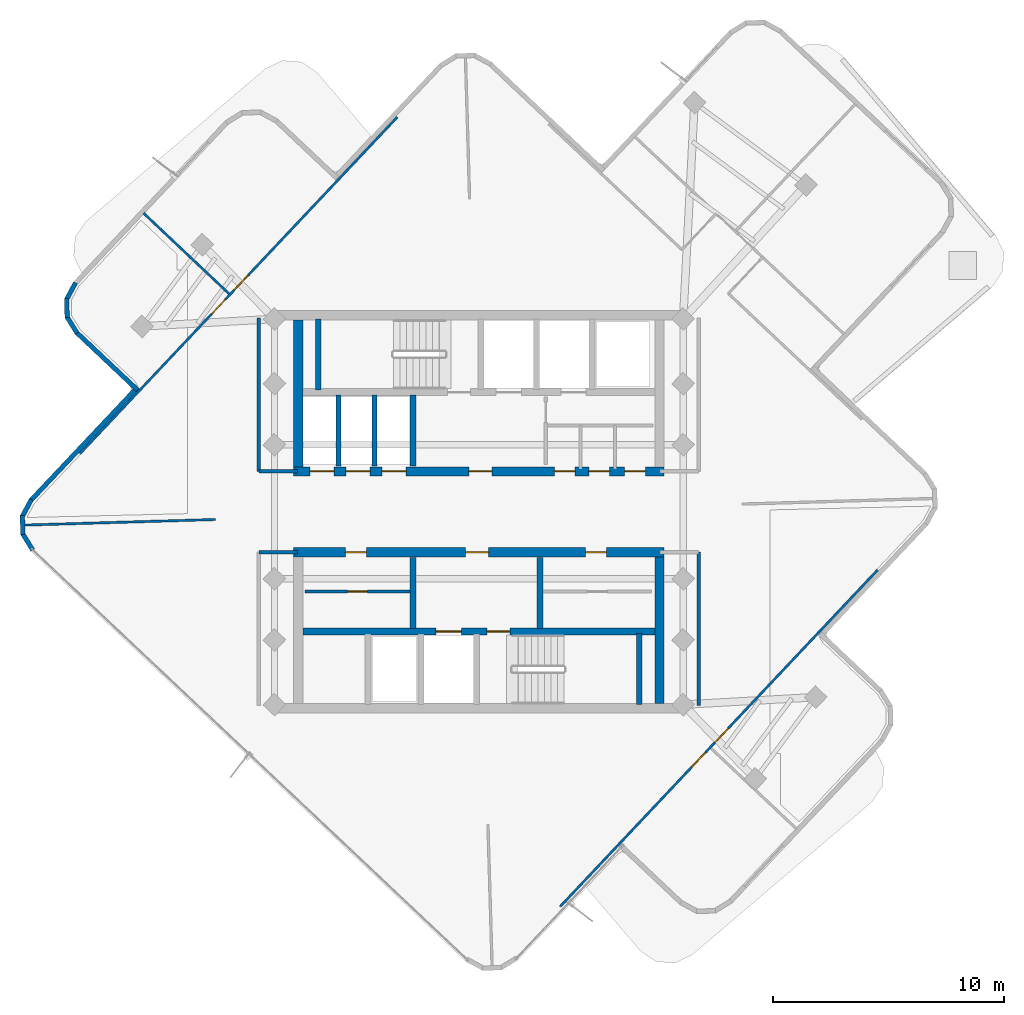
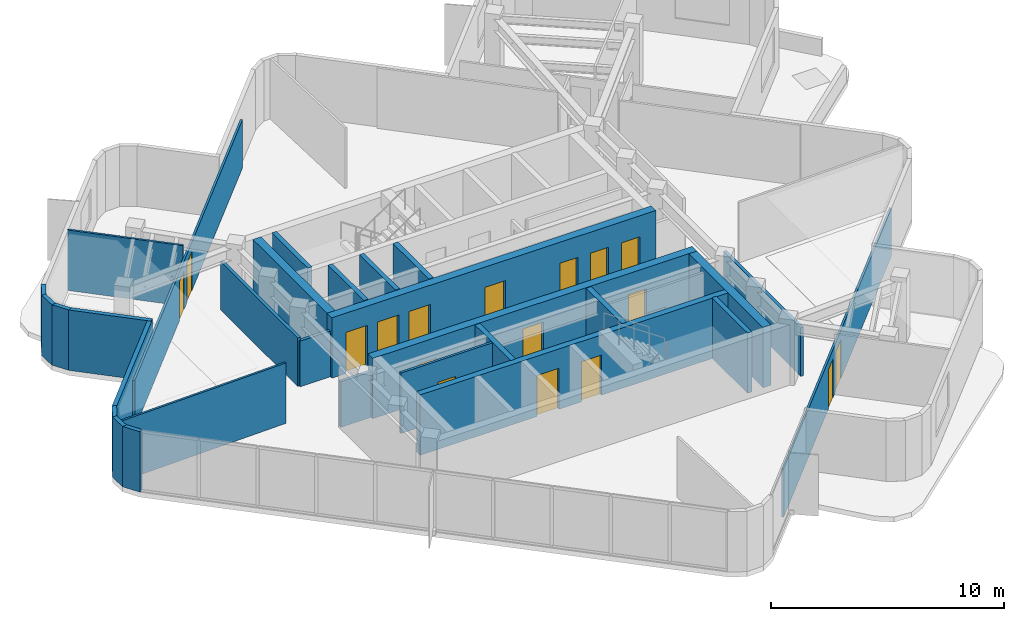
# One storey, part 6 of 10: 29 walls, 17 doors, 17 openings.
"""IFC4 building model written with IfcOpenShell, lengths in metres."""

from ifc_helpers import new_model, si_unit, direction, frame, frame_2d, origin, place, context, subcontext, project, spatial, rectangle, extrude, material, layer, layer_set, type_object, element, fill, save


model = new_model("IFC4")

# Units and contexts
model_context = context("Model", 3, precision=1e-05, world=origin(), true_north=direction((0.0, 1.0)))
body_context = subcontext(model_context, "Body", "Model", "MODEL_VIEW")
ifc_project = project(units=[si_unit("LENGTHUNIT", "METRE"), si_unit("AREAUNIT", "SQUARE_METRE"), si_unit("VOLUMEUNIT", "CUBIC_METRE"), si_unit("PLANEANGLEUNIT", "RADIAN"), si_unit("MASSUNIT", "GRAM", prefix="KILO")], contexts=[model_context])

# Site, building, storey
site_placement = place(None, origin())
site = spatial("IfcSite", under=ifc_project, at=site_placement, CompositionType="ELEMENT")
building_placement = place(site_placement, origin())
building = spatial("IfcBuilding", under=site, at=building_placement, Name="Solmarez Civic Tower", CompositionType="ELEMENT")
storey_placement = place(building_placement, frame((0.0, 0.0, 244.080078125)))
storey = spatial("IfcBuildingStorey", under=building, at=storey_placement, Name="L65", CompositionType="ELEMENT", Elevation=244.080078125)

# Wall, openings, doors
ifc_material_1 = material(Name="Concrete C50/60", Category="concrete")
ifc_layer_1 = layer(ifc_material_1, 0.39990234375)
ifc_layer_set_1 = layer_set([ifc_layer_1], Name="Concrete C50/60")
wall_type_1 = type_object("IfcWallType", Name="WALL-CORE-400", PredefinedType="SHEAR", material=ifc_layer_set_1)
wall_1_placement = place(storey_placement, frame((8.02001953125, 1.75, 0.0), z_axis=(0.0, 0.0, 1.0), x_axis=(-1.0, 0.0, 0.0)))
wall_1 = element("IfcWall", 1, at=wall_1_placement, inside=storey, type_object=wall_type_1, Name="L65 Split-Core Structural Wall NCW-S-L65", PredefinedType="SHEAR", context=body_context, shape_type="SweptSolid", body=[
    extrude(rectangle(XDim=16.0400390625, YDim=0.39990234375, at=frame_2d((8.02001953125, 0.0))), origin(), (0.0, 0.0, 1.0), 3.159912109375),
])
opening_1_placement = place(wall_1_placement, frame((7.449951171875, 0.0, 0.0)))
opening_1 = element("IfcOpeningElement", 2, at=opening_1_placement, cuts=wall_1, Name="Opening D-04", PredefinedType="OPENING", context=body_context, shape_type="SweptSolid", body=[
    extrude(rectangle(XDim=1.0, YDim=2.10009765625, at=frame_2d((0.5, 1.050048828125))), frame((0.0, 0.2099609375, 0.0), z_axis=(0.0, -1.0, 0.0), x_axis=(1.0, 0.0, 0.0)), (0.0, 0.0, 1.0), 0.419921875),
])
opening_2_placement = place(wall_1_placement, frame((14.284912109375, 0.0, 0.0)))
opening_2 = element("IfcOpeningElement", 3, at=opening_2_placement, cuts=wall_1, Name="Opening LD-01", PredefinedType="OPENING", context=body_context, shape_type="SweptSolid", body=[
    extrude(rectangle(XDim=1.050048828125, YDim=2.14990234375, at=frame_2d((0.52490234375, 1.074951171875))), frame((0.0, 0.2099609375, 0.0), z_axis=(0.0, -1.0, 0.0), x_axis=(1.0, 0.0, 0.0)), (0.0, 0.0, 1.0), 0.419921875),
])
opening_3_placement = place(wall_1_placement, frame((12.72509765625, 0.0, 0.0)))
opening_3 = element("IfcOpeningElement", 4, at=opening_3_placement, cuts=wall_1, Name="Opening LD-01", PredefinedType="OPENING", context=body_context, shape_type="SweptSolid", body=[
    extrude(rectangle(XDim=1.050048828125, YDim=2.14990234375, at=frame_2d((0.52490234375, 1.074951171875))), frame((0.0, 0.2099609375, 0.0), z_axis=(0.0, -1.0, 0.0), x_axis=(1.0, 0.0, 0.0)), (0.0, 0.0, 1.0), 0.419921875),
])
opening_4_placement = place(wall_1_placement, frame((11.1650390625, 0.0, 0.0)))
opening_4 = element("IfcOpeningElement", 5, at=opening_4_placement, cuts=wall_1, Name="Opening LD-01", PredefinedType="OPENING", context=body_context, shape_type="SweptSolid", body=[
    extrude(rectangle(XDim=1.050048828125, YDim=2.14990234375, at=frame_2d((0.52490234375, 1.074951171875))), frame((0.0, 0.2099609375, 0.0), z_axis=(0.0, -1.0, 0.0), x_axis=(1.0, 0.0, 0.0)), (0.0, 0.0, 1.0), 0.419921875),
])
opening_5_placement = place(wall_1_placement, frame((3.85009765625, 0.0, 0.0)))
opening_5 = element("IfcOpeningElement", 6, at=opening_5_placement, cuts=wall_1, Name="Opening D-09", PredefinedType="OPENING", context=body_context, shape_type="SweptSolid", body=[
    extrude(rectangle(XDim=0.89990234375, YDim=2.06005859375, at=frame_2d((0.449951171875, 1.030029296875))), frame((0.0, 0.2099609375, 0.0), z_axis=(0.0, -1.0, 0.0), x_axis=(1.0, 0.0, 0.0)), (0.0, 0.0, 1.0), 0.419921875),
])
opening_6_placement = place(wall_1_placement, frame((2.35009765625, 0.0, 0.0)))
opening_6 = element("IfcOpeningElement", 7, at=opening_6_placement, cuts=wall_1, Name="Opening D-09", PredefinedType="OPENING", context=body_context, shape_type="SweptSolid", body=[
    extrude(rectangle(XDim=0.89990234375, YDim=2.06005859375, at=frame_2d((0.449951171875, 1.030029296875))), frame((0.0, 0.2099609375, 0.0), z_axis=(0.0, -1.0, 0.0), x_axis=(1.0, 0.0, 0.0)), (0.0, 0.0, 1.0), 0.419921875),
])
opening_7_placement = place(wall_1_placement, frame((0.800048828125, 0.0, 0.0)))
opening_7 = element("IfcOpeningElement", 8, at=opening_7_placement, cuts=wall_1, Name="Opening D-09", PredefinedType="OPENING", context=body_context, shape_type="SweptSolid", body=[
    extrude(rectangle(XDim=0.89990234375, YDim=2.06005859375, at=frame_2d((0.449951171875, 1.030029296875))), frame((0.0, 0.2099609375, 0.0), z_axis=(0.0, -1.0, 0.0), x_axis=(1.0, 0.0, 0.0)), (0.0, 0.0, 1.0), 0.419921875),
])
ifc_material_2 = material(Name="Steel-Faced Acoustic Fire Door", Category="steel")
door_type_1 = type_object("IfcDoorType", Name="DOOR-FD60-1000", OperationType="NOTDEFINED", PredefinedType="DOOR", material=ifc_material_2)
door_1_placement = place(opening_1_placement, origin())
door_1 = element("IfcDoor", 9, at=door_1_placement, inside=storey, type_object=door_type_1, Name="L65 North Firefighting Lobby Door", OperationType="SINGLE_SWING_RIGHT", OverallHeight=2.10009765625, OverallWidth=1.0, PredefinedType="DOOR", context=body_context, shape_type="SweptSolid", body=[
    extrude(rectangle(XDim=1.0, YDim=2.10009765625, at=frame_2d((0.5, 1.050048828125))), frame((0.0, 0.02490234375, 0.0), z_axis=(0.0, -1.0, 0.0), x_axis=(1.0, 0.0, 0.0)), (0.0, 0.0, 1.0), 0.050048828125),
])
fill(opening_1, door_1)
ifc_material_3 = material(Name="Fire-Rated Service Core Door", Category="wood")
door_type_2 = type_object("IfcDoorType", Name="DOOR-FD60-900", OperationType="NOTDEFINED", PredefinedType="DOOR", material=ifc_material_3)
door_2_placement = place(opening_5_placement, origin())
door_2 = element("IfcDoor", 10, at=door_2_placement, inside=storey, type_object=door_type_2, Name="L65 Core WC Door", OperationType="SINGLE_SWING_RIGHT", OverallHeight=2.06005859375, OverallWidth=0.89990234375, PredefinedType="DOOR", context=body_context, shape_type="SweptSolid", body=[
    extrude(rectangle(XDim=0.89990234375, YDim=2.06005859375, at=frame_2d((0.449951171875, 1.030029296875))), frame((0.0, 0.02490234375, 0.0), z_axis=(0.0, -1.0, 0.0), x_axis=(1.0, 0.0, 0.0)), (0.0, 0.0, 1.0), 0.050048828125),
])
fill(opening_5, door_2)
door_3_placement = place(opening_6_placement, origin())
door_3 = element("IfcDoor", 11, at=door_3_placement, inside=storey, type_object=door_type_2, Name="L65 Core CL Door", OperationType="SINGLE_SWING_LEFT", OverallHeight=2.06005859375, OverallWidth=0.89990234375, PredefinedType="DOOR", context=body_context, shape_type="SweptSolid", body=[
    extrude(rectangle(XDim=0.89990234375, YDim=2.06005859375, at=frame_2d((0.449951171875, 1.030029296875))), frame((0.0, 0.02490234375, 0.0), z_axis=(0.0, -1.0, 0.0), x_axis=(1.0, 0.0, 0.0)), (0.0, 0.0, 1.0), 0.050048828125),
])
fill(opening_6, door_3)
door_4_placement = place(opening_7_placement, origin())
door_4 = element("IfcDoor", 12, at=door_4_placement, inside=storey, type_object=door_type_2, Name="L65 Core IT Door", OperationType="SINGLE_SWING_LEFT", OverallHeight=2.06005859375, OverallWidth=0.89990234375, PredefinedType="DOOR", context=body_context, shape_type="SweptSolid", body=[
    extrude(rectangle(XDim=0.89990234375, YDim=2.06005859375, at=frame_2d((0.449951171875, 1.030029296875))), frame((0.0, 0.02490234375, 0.0), z_axis=(0.0, -1.0, 0.0), x_axis=(1.0, 0.0, 0.0)), (0.0, 0.0, 1.0), 0.050048828125),
])
fill(opening_7, door_4)
ifc_material_4 = material(Name="Bronze Passenger Lift Landing Sliding Door", Category="aluminium")
door_type_3 = type_object("IfcDoorType", Name="DOOR-LD-PAX-1050", OperationType="DOUBLE_DOOR_SLIDING", PredefinedType="DOOR", material=ifc_material_4)
door_5_placement = place(opening_2_placement, origin())
door_5 = element("IfcDoor", 13, at=door_5_placement, inside=storey, type_object=door_type_3, Name="L65 High-Rise Lift Landing Door PL-H1", OperationType="DOUBLE_DOOR_SLIDING", OverallHeight=2.14990234375, OverallWidth=1.050048828125, PredefinedType="DOOR", context=body_context, shape_type="SweptSolid", body=[
    extrude(rectangle(XDim=1.050048828125, YDim=2.14990234375, at=frame_2d((0.52490234375, 1.074951171875))), frame((0.0, 0.02490234375, 0.0), z_axis=(0.0, -1.0, 0.0), x_axis=(1.0, 0.0, 0.0)), (0.0, 0.0, 1.0), 0.050048828125),
])
fill(opening_2, door_5)
door_6_placement = place(opening_3_placement, origin())
door_6 = element("IfcDoor", 14, at=door_6_placement, inside=storey, type_object=door_type_3, Name="L65 High-Rise Lift Landing Door PL-H2", OperationType="DOUBLE_DOOR_SLIDING", OverallHeight=2.14990234375, OverallWidth=1.050048828125, PredefinedType="DOOR", context=body_context, shape_type="SweptSolid", body=[
    extrude(rectangle(XDim=1.050048828125, YDim=2.14990234375, at=frame_2d((0.52490234375, 1.074951171875))), frame((0.0, 0.02490234375, 0.0), z_axis=(0.0, -1.0, 0.0), x_axis=(1.0, 0.0, 0.0)), (0.0, 0.0, 1.0), 0.050048828125),
])
fill(opening_3, door_6)
door_7_placement = place(opening_4_placement, origin())
door_7 = element("IfcDoor", 15, at=door_7_placement, inside=storey, type_object=door_type_3, Name="L65 High-Rise Lift Landing Door PL-H3", OperationType="DOUBLE_DOOR_SLIDING", OverallHeight=2.14990234375, OverallWidth=1.050048828125, PredefinedType="DOOR", context=body_context, shape_type="SweptSolid", body=[
    extrude(rectangle(XDim=1.050048828125, YDim=2.14990234375, at=frame_2d((0.52490234375, 1.074951171875))), frame((0.0, 0.02490234375, 0.0), z_axis=(0.0, -1.0, 0.0), x_axis=(1.0, 0.0, 0.0)), (0.0, 0.0, 1.0), 0.050048828125),
])
fill(opening_4, door_7)

# Wall
wall_2_placement = place(storey_placement, frame((-7.820068359375, 1.949951171875, 0.0), z_axis=(0.0, 0.0, 1.0), x_axis=(0.0, 1.0, 0.0)))
element("IfcWall", 16, at=wall_2_placement, inside=storey, type_object=wall_type_1, Name="L65 Split-Core Structural Wall NCW-W-L65", PredefinedType="SHEAR", context=body_context, shape_type="SweptSolid", body=[
    extrude(rectangle(XDim=6.360107421875, YDim=0.39990234375, at=frame_2d((3.18017578125, 0.0))), origin(), (0.0, 0.0, 1.0), 3.159912109375),
])

# Wall, openings, doors
wall_3_placement = place(storey_placement, frame((-8.02001953125, -1.75, 0.0), z_axis=(0.0, 0.0, 1.0), x_axis=(1.0, 0.0, 0.0)))
wall_3 = element("IfcWall", 17, at=wall_3_placement, inside=storey, type_object=wall_type_1, Name="L65 Split-Core Structural Wall SCW-N-L65", PredefinedType="SHEAR", context=body_context, shape_type="SweptSolid", body=[
    extrude(rectangle(XDim=16.0400390625, YDim=0.39990234375, at=frame_2d((8.02001953125, 0.0))), origin(), (0.0, 0.0, 1.0), 3.159912109375),
])
opening_8_placement = place(wall_3_placement, frame((7.449951171875, 0.0, 0.0)))
opening_8 = element("IfcOpeningElement", 18, at=opening_8_placement, cuts=wall_3, Name="Opening D-04", PredefinedType="OPENING", context=body_context, shape_type="SweptSolid", body=[
    extrude(rectangle(XDim=1.0, YDim=2.10009765625, at=frame_2d((0.5, 1.050048828125))), frame((0.0, 0.2099609375, 0.0), z_axis=(0.0, -1.0, 0.0), x_axis=(1.0, 0.0, 0.0)), (0.0, 0.0, 1.0), 0.419921875),
])
opening_9_placement = place(wall_3_placement, frame((12.64990234375, 0.0, 0.0)))
opening_9 = element("IfcOpeningElement", 19, at=opening_9_placement, cuts=wall_3, Name="Opening D-09", PredefinedType="OPENING", context=body_context, shape_type="SweptSolid", body=[
    extrude(rectangle(XDim=0.89990234375, YDim=2.06005859375, at=frame_2d((0.449951171875, 1.030029296875))), frame((0.0, 0.2099609375, 0.0), z_axis=(0.0, -1.0, 0.0), x_axis=(1.0, 0.0, 0.0)), (0.0, 0.0, 1.0), 0.419921875),
])
opening_10_placement = place(wall_3_placement, frame((2.25, 0.0, 0.0)))
opening_10 = element("IfcOpeningElement", 20, at=opening_10_placement, cuts=wall_3, Name="Opening D-09", PredefinedType="OPENING", context=body_context, shape_type="SweptSolid", body=[
    extrude(rectangle(XDim=0.89990234375, YDim=2.06005859375, at=frame_2d((0.449951171875, 1.030029296875))), frame((0.0, 0.2099609375, 0.0), z_axis=(0.0, -1.0, 0.0), x_axis=(1.0, 0.0, 0.0)), (0.0, 0.0, 1.0), 0.419921875),
])
door_8_placement = place(opening_8_placement, origin())
door_8 = element("IfcDoor", 21, at=door_8_placement, inside=storey, type_object=door_type_1, Name="L65 South Firefighting Lobby Door", OperationType="SINGLE_SWING_LEFT", OverallHeight=2.10009765625, OverallWidth=1.0, PredefinedType="DOOR", context=body_context, shape_type="SweptSolid", body=[
    extrude(rectangle(XDim=1.0, YDim=2.10009765625, at=frame_2d((0.5, 1.050048828125))), frame((0.0, 0.02490234375, 0.0), z_axis=(0.0, -1.0, 0.0), x_axis=(1.0, 0.0, 0.0)), (0.0, 0.0, 1.0), 0.050048828125),
])
fill(opening_8, door_8)
door_9_placement = place(opening_9_placement, origin())
door_9 = element("IfcDoor", 22, at=door_9_placement, inside=storey, type_object=door_type_2, Name="L65 Freed Hoistway Mailroom Door", OperationType="SINGLE_SWING_LEFT", OverallHeight=2.06005859375, OverallWidth=0.89990234375, PredefinedType="DOOR", context=body_context, shape_type="SweptSolid", body=[
    extrude(rectangle(XDim=0.89990234375, YDim=2.06005859375, at=frame_2d((0.449951171875, 1.030029296875))), frame((0.0, 0.02490234375, 0.0), z_axis=(0.0, -1.0, 0.0), x_axis=(1.0, 0.0, 0.0)), (0.0, 0.0, 1.0), 0.050048828125),
])
fill(opening_9, door_9)
door_10_placement = place(opening_10_placement, origin())
door_10 = element("IfcDoor", 23, at=door_10_placement, inside=storey, type_object=door_type_2, Name="L65 Staff Kitchenette Pantry Door", OperationType="SINGLE_SWING_RIGHT", OverallHeight=2.06005859375, OverallWidth=0.89990234375, PredefinedType="DOOR", context=body_context, shape_type="SweptSolid", body=[
    extrude(rectangle(XDim=0.89990234375, YDim=2.06005859375, at=frame_2d((0.449951171875, 1.030029296875))), frame((0.0, 0.02490234375, 0.0), z_axis=(0.0, -1.0, 0.0), x_axis=(1.0, 0.0, 0.0)), (0.0, 0.0, 1.0), 0.050048828125),
])
fill(opening_10, door_10)

# Walls
wall_4_placement = place(storey_placement, frame((7.820068359375, -1.949951171875, 0.0), z_axis=(0.0, 0.0, 1.0), x_axis=(0.0, -1.0, 0.0)))
element("IfcWall", 24, at=wall_4_placement, inside=storey, type_object=wall_type_1, Name="L65 Split-Core Structural Wall SCW-E-L65", PredefinedType="SHEAR", context=body_context, shape_type="SweptSolid", body=[
    extrude(rectangle(XDim=6.360107421875, YDim=0.39990234375, at=frame_2d((3.18017578125, 0.0))), origin(), (0.0, 0.0, 1.0), 3.159912109375),
])
ifc_material_5 = material(Name="Precast concrete C40/50", Category="concrete")
ifc_layer_2 = layer(ifc_material_5, 0.199951171875)
ifc_layer_set_2 = layer_set([ifc_layer_2], Name="Precast concrete C40/50")
wall_type_2 = type_object("IfcWallType", Name="WALL-EXT-200", PredefinedType="SOLIDWALL", material=ifc_layer_set_2)
wall_5_placement = place(storey_placement, frame((-19.31298828125, -1.657958984375, 0.0), z_axis=(0.0, 0.0, 1.0), x_axis=(-0.52517019965, 0.850997215859, 0.0)))
element("IfcWall", 25, at=wall_5_placement, inside=storey, type_object=wall_type_2, Name="L65 Exterior Precast Wall 7", PredefinedType="SOLIDWALL", context=body_context, shape_type="SweptSolid", body=[
    extrude(rectangle(XDim=0.837646484375, YDim=0.199951171875, at=frame_2d((0.4189453125, 0.0))), origin(), (0.0, 0.0, 1.0), 3.159912109375),
])
wall_6_placement = place(storey_placement, frame((-19.739013671875, -0.990966796875, 0.0), z_axis=(0.0, 0.0, 1.0), x_axis=(-0.029024803491, 0.999578691641, 0.0)))
element("IfcWall", 26, at=wall_6_placement, inside=storey, type_object=wall_type_2, Name="L65 Exterior Precast Wall 8", PredefinedType="SOLIDWALL", context=body_context, shape_type="SweptSolid", body=[
    extrude(rectangle(XDim=0.82421875, YDim=0.199951171875, at=frame_2d((0.412109375, 0.0))), origin(), (0.0, 0.0, 1.0), 3.159912109375),
])
wall_7_placement = place(storey_placement, frame((-19.77392578125, -0.214111328125, 0.0), z_axis=(0.0, 0.0, 1.0), x_axis=(0.474603278561, 0.880199822755, 0.0)))
element("IfcWall", 27, at=wall_7_placement, inside=storey, type_object=wall_type_2, Name="L65 Exterior Precast Wall 9", PredefinedType="SOLIDWALL", context=body_context, shape_type="SweptSolid", body=[
    extrude(rectangle(XDim=0.83837890625, YDim=0.199951171875, at=frame_2d((0.419189453125, 0.0))), origin(), (0.0, 0.0, 1.0), 3.159912109375),
])
wall_8_placement = place(storey_placement, frame((-19.405029296875, 0.48388671875, 0.0), z_axis=(0.0, 0.0, 1.0), x_axis=(0.686028756372, 0.727574426042, 0.0)))
element("IfcWall", 28, at=wall_8_placement, inside=storey, type_object=wall_type_2, Name="L65 Exterior Precast Wall 10", PredefinedType="SOLIDWALL", context=body_context, shape_type="SweptSolid", body=[
    extrude(rectangle(XDim=6.740234375, YDim=0.199951171875, at=frame_2d((3.3701171875, 0.0))), origin(), (0.0, 0.0, 1.0), 3.159912109375),
])
wall_9_placement = place(storey_placement, frame((-14.778076171875, 5.27490234375, 0.0), z_axis=(0.0, 0.0, 1.0), x_axis=(-0.727262285553, 0.686359649172, 0.0)))
element("IfcWall", 29, at=wall_9_placement, inside=storey, type_object=wall_type_2, Name="L65 Exterior Precast Wall 13", PredefinedType="SOLIDWALL", context=body_context, shape_type="SweptSolid", body=[
    extrude(rectangle(XDim=3.640869140625, YDim=0.199951171875, at=frame_2d((1.8203125, 0.0))), origin(), (0.0, 0.0, 1.0), 3.159912109375),
])
wall_10_placement = place(storey_placement, frame((-17.39501953125, 7.736083984375, 0.0), z_axis=(0.0, 0.0, 1.0), x_axis=(-0.52517019965, 0.850997215859, 0.0)))
element("IfcWall", 30, at=wall_10_placement, inside=storey, type_object=wall_type_2, Name="L65 Exterior Precast Wall 14", PredefinedType="SOLIDWALL", context=body_context, shape_type="SweptSolid", body=[
    extrude(rectangle(XDim=0.837646484375, YDim=0.199951171875, at=frame_2d((0.4189453125, 0.0))), origin(), (0.0, 0.0, 1.0), 3.159912109375),
])
wall_11_placement = place(storey_placement, frame((-17.821044921875, 8.403076171875, 0.0), z_axis=(0.0, 0.0, 1.0), x_axis=(-0.030208429442, 0.999543621255, 0.0)))
element("IfcWall", 31, at=wall_11_placement, inside=storey, type_object=wall_type_2, Name="L65 Exterior Precast Wall 15", PredefinedType="SOLIDWALL", context=body_context, shape_type="SweptSolid", body=[
    extrude(rectangle(XDim=0.824462890625, YDim=0.199951171875, at=frame_2d((0.412109375, 0.0))), origin(), (0.0, 0.0, 1.0), 3.159912109375),
])
wall_12_placement = place(storey_placement, frame((-17.85693359375, 9.179931640625, 0.0), z_axis=(0.0, 0.0, 1.0), x_axis=(0.474603278561, 0.880199822755, 0.0)))
element("IfcWall", 32, at=wall_12_placement, inside=storey, type_object=wall_type_2, Name="L65 Exterior Precast Wall 16", PredefinedType="SOLIDWALL", context=body_context, shape_type="SweptSolid", body=[
    extrude(rectangle(XDim=0.83837890625, YDim=0.199951171875, at=frame_2d((0.419189453125, 0.0))), origin(), (0.0, 0.0, 1.0), 3.159912109375),
])
ifc_material_6 = material(Name="Gypsum Board Acoustic Steel-Stud Partition", Category="steel")
ifc_layer_3 = layer(ifc_material_6, 0.14990234375)
ifc_layer_set_3 = layer_set([ifc_layer_3], Name="Gypsum Board Acoustic Steel-Stud Partition")
wall_type_3 = type_object("IfcWallType", Name="WALL-INT-FIRE-150", PredefinedType="PARTITIONING", material=ifc_layer_set_3)
wall_13_placement = place(storey_placement, frame((-9.52001953125, 1.75, 0.0), z_axis=(0.0, 0.0, 1.0), x_axis=(0.0, 1.0, 0.0)))
element("IfcWall", 33, at=wall_13_placement, inside=storey, type_object=wall_type_3, Name="L65 Interior Partition CHW-L65-WN1", PredefinedType="PARTITIONING", context=body_context, shape_type="SweptSolid", body=[
    extrude(rectangle(XDim=6.6298828125, YDim=0.14990234375, at=frame_2d((3.31494140625, 0.0))), origin(), (0.0, 0.0, 1.0), 2.530029296875),
])
for number, where, z_axis, x_axis, name in (
    (34, (-7.85009765625, 1.75, 0.0), (0.0, 0.0, 1.0), (-1.0, 0.0, 0.0), "L65 Interior Partition CHW-L65-WN3"),
    (35, (-7.85009765625, -1.75, 0.0), (0.0, 0.0, 1.0), (-1.0, 0.0, 0.0), "L65 Interior Partition CHW-L65-WS3"),
):
    element("IfcWall", number, at=place(storey_placement, frame(where, z_axis=z_axis, x_axis=x_axis)), inside=storey, type_object=wall_type_3, Name=name, PredefinedType="PARTITIONING", context=body_context, shape_type="SweptSolid", body=[
        extrude(rectangle(XDim=1.669921875, YDim=0.14990234375, at=frame_2d((0.8349609375, 0.0))), origin(), (0.0, 0.0, 1.0), 2.389892578125),
    ])
wall_14_placement = place(storey_placement, frame((9.52001953125, -8.3798828125, 0.0), z_axis=(0.0, 0.0, 1.0), x_axis=(0.0, 1.0, 0.0)))
element("IfcWall", 36, at=wall_14_placement, inside=storey, type_object=wall_type_3, Name="L65 Interior Partition CHW-L65-ES1", PredefinedType="PARTITIONING", context=body_context, shape_type="SweptSolid", body=[
    extrude(rectangle(XDim=6.6298828125, YDim=0.14990234375, at=frame_2d((3.31494140625, 0.0))), origin(), (0.0, 0.0, 1.0), 2.530029296875),
])
ifc_layer_4 = layer(ifc_material_6, 0.10009765625)
ifc_layer_set_4 = layer_set([ifc_layer_4], Name="Gypsum Board Acoustic Steel-Stud Partition")
wall_type_4 = type_object("IfcWallType", Name="WALL-INT-PART-100", PredefinedType="PARTITIONING", material=ifc_layer_set_4)
wall_15_placement = place(storey_placement, frame((-11.39501953125, -0.333984375, 0.0), z_axis=(0.0, 0.0, 1.0), x_axis=(-0.999571055306, -0.029286607775, 0.0)))
element("IfcWall", 37, at=wall_15_placement, inside=storey, type_object=wall_type_4, Name="L65 Interior Partition PT-L65-QDIV-2", PredefinedType="PARTITIONING", context=body_context, shape_type="SweptSolid", body=[
    extrude(rectangle(XDim=8.294677734375, YDim=0.10009765625, at=frame_2d((4.1474609375, 0.0))), origin(), (0.0, 0.0, 1.0), 3.159912109375),
])
wall_16_placement = place(storey_placement, frame((-10.81689453125, 9.445068359375, 0.0), z_axis=(0.0, 0.0, 1.0), x_axis=(-0.727564075469, 0.686039733606, 0.0)))
element("IfcWall", 38, at=wall_16_placement, inside=storey, type_object=wall_type_4, Name="L65 Interior Partition PT-L65-N-ALM", PredefinedType="PARTITIONING", context=body_context, shape_type="SweptSolid", body=[
    extrude(rectangle(XDim=5.085693359375, YDim=0.10009765625, at=frame_2d((2.54296875, 0.0))), origin(), (0.0, 0.0, 1.0), 3.159912109375),
])

# Wall, openings, doors
wall_17_placement = place(storey_placement, frame((-17.27099609375, 2.513916015625, 0.0), z_axis=(0.0, 0.0, 1.0), x_axis=(0.686068145865, 0.727537283739, 0.0)))
wall_17 = element("IfcWall", 39, at=wall_17_placement, inside=storey, type_object=wall_type_4, Name="L65 Interior Partition PT-L65-N-ENT", PredefinedType="PARTITIONING", context=body_context, shape_type="SweptSolid", body=[
    extrude(rectangle(XDim=20.040283203125, YDim=0.10009765625, at=frame_2d((10.02001953125, 0.0))), origin(), (0.0, 0.0, 1.0), 2.530029296875),
])
opening_11_placement = place(wall_17_placement, frame((9.760009765625, 0.0, 0.0)))
opening_11 = element("IfcOpeningElement", 40, at=opening_11_placement, cuts=wall_17, Name="Opening D-14", PredefinedType="OPENING", context=body_context, shape_type="SweptSolid", body=[
    extrude(rectangle(XDim=0.860107421875, YDim=2.0400390625, at=frame_2d((0.43017578125, 1.02001953125))), frame((0.0, 0.06005859375, 0.0), z_axis=(0.0, -1.0, 0.0), x_axis=(1.0, 0.0, 0.0)), (0.0, 0.0, 1.0), 0.1201171875),
])
opening_12_placement = place(wall_17_placement, frame((8.320068359375, 0.0, 0.0)))
opening_12 = element("IfcOpeningElement", 41, at=opening_12_placement, cuts=wall_17, Name="Opening D-14", PredefinedType="OPENING", context=body_context, shape_type="SweptSolid", body=[
    extrude(rectangle(XDim=0.860107421875, YDim=2.0400390625, at=frame_2d((0.43017578125, 1.02001953125))), frame((0.0, 0.06005859375, 0.0), z_axis=(0.0, -1.0, 0.0), x_axis=(1.0, 0.0, 0.0)), (0.0, 0.0, 1.0), 0.1201171875),
])
ifc_material_7 = material(Name="Timber Storage and Pantry Door", Category="wood")
door_type_4 = type_object("IfcDoorType", Name="DOOR-INT-850", OperationType="NOTDEFINED", PredefinedType="DOOR", material=ifc_material_7)
door_11_placement = place(opening_11_placement, origin())
door_11 = element("IfcDoor", 42, at=door_11_placement, inside=storey, type_object=door_type_4, Name="L65 Security Control Room Second North Door", OperationType="SINGLE_SWING_RIGHT", OverallHeight=2.0400390625, OverallWidth=0.860107421875, PredefinedType="DOOR", context=body_context, shape_type="SweptSolid", body=[
    extrude(rectangle(XDim=0.860107421875, YDim=2.0400390625, at=frame_2d((0.43017578125, 1.02001953125))), frame((0.0, 0.02490234375, 0.0), z_axis=(0.0, -1.0, 0.0), x_axis=(1.0, 0.0, 0.0)), (0.0, 0.0, 1.0), 0.050048828125),
])
fill(opening_11, door_11)
door_12_placement = place(opening_12_placement, origin())
door_12 = element("IfcDoor", 43, at=door_12_placement, inside=storey, type_object=door_type_4, Name="L65 Delegation Concierge Room First North Door", OperationType="SINGLE_SWING_LEFT", OverallHeight=2.0400390625, OverallWidth=0.860107421875, PredefinedType="DOOR", context=body_context, shape_type="SweptSolid", body=[
    extrude(rectangle(XDim=0.860107421875, YDim=2.0400390625, at=frame_2d((0.43017578125, 1.02001953125))), frame((0.0, 0.02490234375, 0.0), z_axis=(0.0, -1.0, 0.0), x_axis=(1.0, 0.0, 0.0)), (0.0, 0.0, 1.0), 0.050048828125),
])
fill(opening_12, door_12)

wall_18_placement = place(storey_placement, frame((17.27099609375, -2.513916015625, 0.0), z_axis=(0.0, 0.0, 1.0), x_axis=(-0.686068145865, -0.727537283739, 0.0)))
wall_18 = element("IfcWall", 44, at=wall_18_placement, inside=storey, type_object=wall_type_4, Name="L65 Interior Partition PT-L65-S-ENT", PredefinedType="PARTITIONING", context=body_context, shape_type="SweptSolid", body=[
    extrude(rectangle(XDim=20.040283203125, YDim=0.10009765625, at=frame_2d((10.02001953125, 0.0))), origin(), (0.0, 0.0, 1.0), 2.530029296875),
])
opening_13_placement = place(wall_18_placement, frame((10.860107421875, 0.0, 0.0)))
opening_13 = element("IfcOpeningElement", 45, at=opening_13_placement, cuts=wall_18, Name="Opening D-14", PredefinedType="OPENING", context=body_context, shape_type="SweptSolid", body=[
    extrude(rectangle(XDim=0.860107421875, YDim=2.0400390625, at=frame_2d((0.43017578125, 1.02001953125))), frame((0.0, 0.06005859375, 0.0), z_axis=(0.0, -1.0, 0.0), x_axis=(1.0, 0.0, 0.0)), (0.0, 0.0, 1.0), 0.1201171875),
])
opening_14_placement = place(wall_18_placement, frame((9.419921875, 0.0, 0.0)))
opening_14 = element("IfcOpeningElement", 46, at=opening_14_placement, cuts=wall_18, Name="Opening D-14", PredefinedType="OPENING", context=body_context, shape_type="SweptSolid", body=[
    extrude(rectangle(XDim=0.860107421875, YDim=2.0400390625, at=frame_2d((0.43017578125, 1.02001953125))), frame((0.0, 0.06005859375, 0.0), z_axis=(0.0, -1.0, 0.0), x_axis=(1.0, 0.0, 0.0)), (0.0, 0.0, 1.0), 0.1201171875),
])
door_13_placement = place(opening_13_placement, origin())
door_13 = element("IfcDoor", 47, at=door_13_placement, inside=storey, type_object=door_type_4, Name="L65 Public Reception Room Second South Door", OperationType="SINGLE_SWING_RIGHT", OverallHeight=2.0400390625, OverallWidth=0.860107421875, PredefinedType="DOOR", context=body_context, shape_type="SweptSolid", body=[
    extrude(rectangle(XDim=0.860107421875, YDim=2.0400390625, at=frame_2d((0.43017578125, 1.02001953125))), frame((0.0, 0.02490234375, 0.0), z_axis=(0.0, -1.0, 0.0), x_axis=(1.0, 0.0, 0.0)), (0.0, 0.0, 1.0), 0.050048828125),
])
fill(opening_13, door_13)
door_14_placement = place(opening_14_placement, origin())
door_14 = element("IfcDoor", 48, at=door_14_placement, inside=storey, type_object=door_type_4, Name="L65 Ministry Conference Room First South Door", OperationType="SINGLE_SWING_LEFT", OverallHeight=2.0400390625, OverallWidth=0.860107421875, PredefinedType="DOOR", context=body_context, shape_type="SweptSolid", body=[
    extrude(rectangle(XDim=0.860107421875, YDim=2.0400390625, at=frame_2d((0.43017578125, 1.02001953125))), frame((0.0, 0.02490234375, 0.0), z_axis=(0.0, -1.0, 0.0), x_axis=(1.0, 0.0, 0.0)), (0.0, 0.0, 1.0), 0.050048828125),
])
fill(opening_14, door_14)

# Wall, opening, door
ifc_layer_5 = layer(ifc_material_6, 0.1201171875)
ifc_layer_set_5 = layer_set([ifc_layer_5], Name="Gypsum Board Acoustic Steel-Stud Partition")
wall_type_5 = type_object("IfcWallType", Name="WALL-INT-PART-120", PredefinedType="PARTITIONING", material=ifc_layer_set_5)
wall_19_placement = place(storey_placement, frame((-7.52001953125, -3.449951171875, 0.0), z_axis=(0.0, 0.0, 1.0), x_axis=(1.0, 0.0, 0.0)))
wall_19 = element("IfcWall", 49, at=wall_19_placement, inside=storey, type_object=wall_type_5, Name="L65 Interior Partition PT-FPLM-L65", PredefinedType="PARTITIONING", context=body_context, shape_type="SweptSolid", body=[
    extrude(rectangle(XDim=4.5400390625, YDim=0.1201171875, at=frame_2d((2.27001953125, 0.0))), origin(), (0.0, 0.0, 1.0), 3.159912109375),
])
opening_15_placement = place(wall_19_placement, frame((1.840087890625, 0.0, 0.0)))
opening_15 = element("IfcOpeningElement", 50, at=opening_15_placement, cuts=wall_19, Name="Opening D-14", PredefinedType="OPENING", context=body_context, shape_type="SweptSolid", body=[
    extrude(rectangle(XDim=0.860107421875, YDim=2.0400390625, at=frame_2d((0.43017578125, 1.02001953125))), frame((0.0, 0.070068359375, 0.0), z_axis=(0.0, -1.0, 0.0), x_axis=(1.0, 0.0, 0.0)), (0.0, 0.0, 1.0), 0.14013671875),
])
door_15_placement = place(opening_15_placement, origin())
door_15 = element("IfcDoor", 51, at=door_15_placement, inside=storey, type_object=door_type_4, Name="L65 Directorate Copy Office Door", OperationType="SINGLE_SWING_RIGHT", OverallHeight=2.0400390625, OverallWidth=0.860107421875, PredefinedType="DOOR", context=body_context, shape_type="SweptSolid", body=[
    extrude(rectangle(XDim=0.860107421875, YDim=2.0400390625, at=frame_2d((0.43017578125, 1.02001953125))), frame((0.0, 0.02490234375, 0.0), z_axis=(0.0, -1.0, 0.0), x_axis=(1.0, 0.0, 0.0)), (0.0, 0.0, 1.0), 0.050048828125),
])
fill(opening_15, door_15)

# Wall, openings, doors
ifc_layer_6 = layer(ifc_material_1, 0.300048828125)
ifc_layer_set_6 = layer_set([ifc_layer_6], Name="Concrete C50/60")
wall_type_6 = type_object("IfcWallType", Name="WALL-STR-300", PredefinedType="SOLIDWALL", material=ifc_layer_set_6)
wall_20_placement = place(storey_placement, frame((-7.6201171875, -5.179931640625, 0.0), z_axis=(0.0, 0.0, 1.0), x_axis=(1.0, 0.0, 0.0)))
wall_20 = element("IfcWall", 52, at=wall_20_placement, inside=storey, type_object=wall_type_6, Name="L65 Split-Core Structural Wall SCW-M-L65", PredefinedType="SOLIDWALL", context=body_context, shape_type="SweptSolid", body=[
    extrude(rectangle(XDim=15.240234375, YDim=0.300048828125, at=frame_2d((7.6201171875, 0.0))), origin(), (0.0, 0.0, 1.0), 3.159912109375),
])
opening_16_placement = place(wall_20_placement, frame((5.77001953125, 0.0, 0.0)))
opening_16 = element("IfcOpeningElement", 53, at=opening_16_placement, cuts=wall_20, Name="Opening LD-02", PredefinedType="OPENING", context=body_context, shape_type="SweptSolid", body=[
    extrude(rectangle(XDim=1.10009765625, YDim=2.14990234375, at=frame_2d((0.550048828125, 1.074951171875))), frame((0.0, 0.159912109375, 0.0), z_axis=(0.0, -1.0, 0.0), x_axis=(1.0, 0.0, 0.0)), (0.0, 0.0, 1.0), 0.320068359375),
])
opening_17_placement = place(wall_20_placement, frame((7.969970703125, 0.0, 0.0)))
opening_17 = element("IfcOpeningElement", 54, at=opening_17_placement, cuts=wall_20, Name="Opening D-05", PredefinedType="OPENING", context=body_context, shape_type="SweptSolid", body=[
    extrude(rectangle(XDim=1.0, YDim=2.10009765625, at=frame_2d((0.5, 1.050048828125))), frame((0.0, 0.159912109375, 0.0), z_axis=(0.0, -1.0, 0.0), x_axis=(1.0, 0.0, 0.0)), (0.0, 0.0, 1.0), 0.320068359375),
])
ifc_material_8 = material(Name="Fire-Rated Stairwell Exit Door", Category="wood")
door_type_5 = type_object("IfcDoorType", Name="DOOR-FD90-1000", OperationType="NOTDEFINED", PredefinedType="DOOR", material=ifc_material_8)
door_16_placement = place(opening_17_placement, origin())
door_16 = element("IfcDoor", 55, at=door_16_placement, inside=storey, type_object=door_type_5, Name="L65 South Exit Stair Door ST-2", OperationType="SINGLE_SWING_LEFT", OverallHeight=2.10009765625, OverallWidth=1.0, PredefinedType="DOOR", context=body_context, shape_type="SweptSolid", body=[
    extrude(rectangle(XDim=1.0, YDim=2.10009765625, at=frame_2d((0.5, 1.050048828125))), frame((0.0, 0.02490234375, 0.0), z_axis=(0.0, -1.0, 0.0), x_axis=(1.0, 0.0, 0.0)), (0.0, 0.0, 1.0), 0.050048828125),
])
fill(opening_17, door_16)
ifc_material_9 = material(Name="Stainless Firefighting Lift Landing Sliding Door", Category="aluminium")
door_type_6 = type_object("IfcDoorType", Name="DOOR-LD-FF-1100", OperationType="DOUBLE_DOOR_SLIDING", PredefinedType="DOOR", material=ifc_material_9)
door_17_placement = place(opening_16_placement, origin())
door_17 = element("IfcDoor", 56, at=door_17_placement, inside=storey, type_object=door_type_6, Name="L65 Firefighting Lift Landing Door FFL-2", OperationType="DOUBLE_DOOR_SLIDING", OverallHeight=2.14990234375, OverallWidth=1.10009765625, PredefinedType="DOOR", context=body_context, shape_type="SweptSolid", body=[
    extrude(rectangle(XDim=1.10009765625, YDim=2.14990234375, at=frame_2d((0.550048828125, 1.074951171875))), frame((0.0, 0.02490234375, 0.0), z_axis=(0.0, -1.0, 0.0), x_axis=(1.0, 0.0, 0.0)), (0.0, 0.0, 1.0), 0.050048828125),
])
fill(opening_16, door_17)

# Walls
for number, where, z_axis, x_axis, name in (
    (57, (-6.949951171875, 5.280029296875, 0.0), (0.0, 0.0, 1.0), (0.0, 1.0, 0.0), "L65 Split-Core Structural Wall SHW-NW-L65"),
    (58, (6.949951171875, -8.340087890625, 0.0), (0.0, 0.0, 1.0), (0.0, 1.0, 0.0), "L65 Split-Core Structural Wall SHW-SE-L65"),
):
    element("IfcWall", number, at=place(storey_placement, frame(where, z_axis=z_axis, x_axis=x_axis)), inside=storey, type_object=wall_type_6, Name=name, PredefinedType="SOLIDWALL", context=body_context, shape_type="SweptSolid", body=[
        extrude(rectangle(XDim=3.06005859375, YDim=0.219970703125, at=frame_2d((1.530029296875, 0.0))), origin(), (0.0, 0.0, 1.0), 3.159912109375),
    ])
for number, where, z_axis, x_axis, name in (
    (59, (-2.85009765625, 1.97998046875, 0.0), (0.0, 0.0, 1.0), (0.0, 1.0, 0.0), "L65 Split-Core Structural Wall SHW-NL1-L65"),
    (60, (-2.85009765625, -5.050048828125, 0.0), (0.0, 0.0, 1.0), (0.0, 1.0, 0.0), "L65 Split-Core Structural Wall SHW-SL1-L65"),
    (61, (2.64990234375, -5.050048828125, 0.0), (0.0, 0.0, 1.0), (0.0, 1.0, 0.0), "L65 Split-Core Structural Wall SHW-SL2-L65"),
):
    element("IfcWall", number, at=place(storey_placement, frame(where, z_axis=z_axis, x_axis=x_axis)), inside=storey, type_object=wall_type_6, Name=name, PredefinedType="SOLIDWALL", context=body_context, shape_type="SweptSolid", body=[
        extrude(rectangle(XDim=3.070068359375, YDim=0.25, at=frame_2d((1.53515625, 0.0))), origin(), (0.0, 0.0, 1.0), 3.159912109375),
    ])
for number, where, z_axis, x_axis, name in (
    (62, (-6.080078125, 1.97998046875, 0.0), (0.0, 0.0, 1.0), (0.0, 1.0, 0.0), "L65 Split-Core Structural Wall SHW-PLH-L65-1"),
    (63, (-4.52001953125, 1.97998046875, 0.0), (0.0, 0.0, 1.0), (0.0, 1.0, 0.0), "L65 Split-Core Structural Wall SHW-PLH-L65-2"),
):
    element("IfcWall", number, at=place(storey_placement, frame(where, z_axis=z_axis, x_axis=x_axis)), inside=storey, type_object=wall_type_6, Name=name, PredefinedType="SOLIDWALL", context=body_context, shape_type="SweptSolid", body=[
        extrude(rectangle(XDim=3.070068359375, YDim=0.219970703125, at=frame_2d((1.53515625, 0.0))), origin(), (0.0, 0.0, 1.0), 3.159912109375),
    ])

save(model, "model.ifc")
